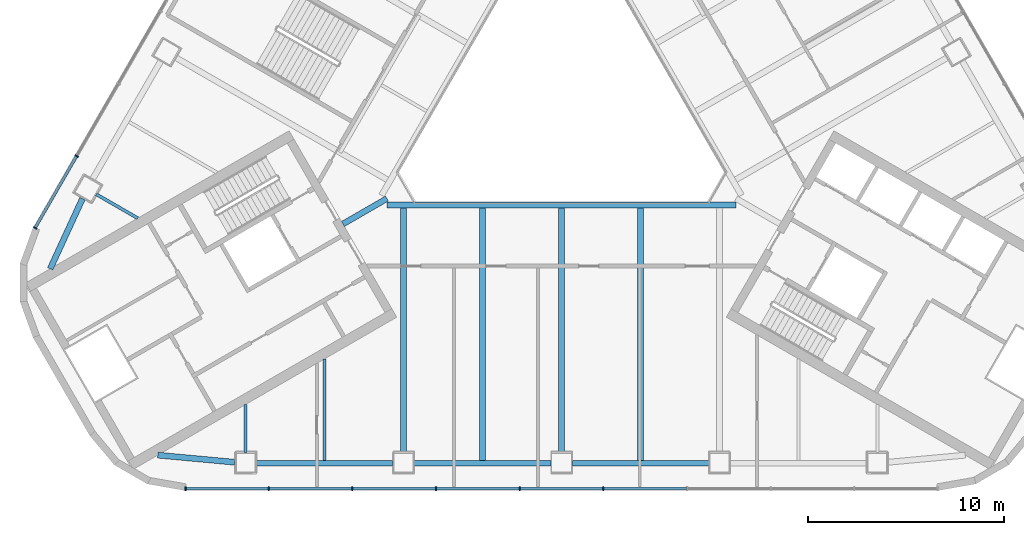
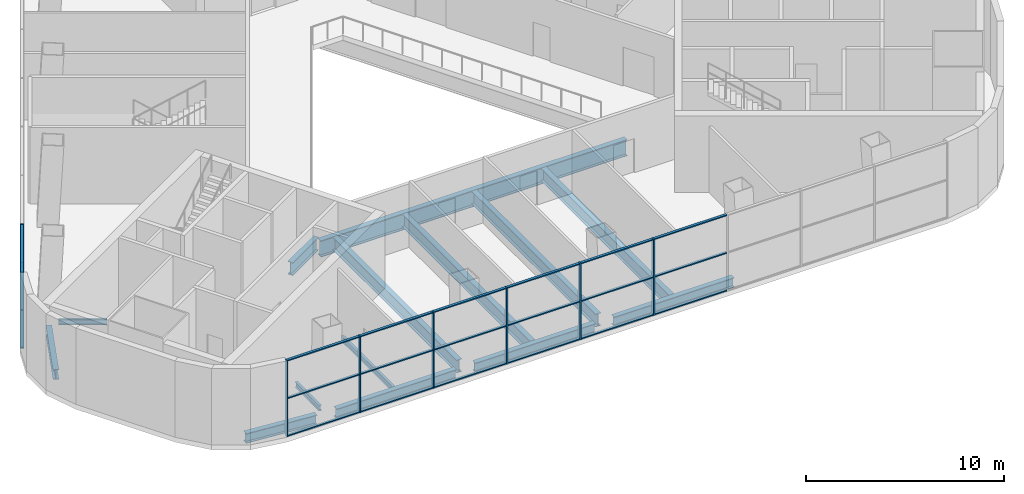
# One storey, part 2 of 13: 29 members, 14 beams, 2 elements without a shape of their own.
"""IFC4 building model written with IfcOpenShell, lengths in metres."""

from ifc_helpers import new_model, si_unit, direction, frame, origin, origin_2d, place, context, subcontext, project, spatial, rectangle, i_section, extrude, material, layer, layer_set, material_profile, profile_set, type_object, element, aggregate, save


model = new_model("IFC4")

# Units and contexts
model_context = context("Model", 3, precision=1e-05, world=origin(), true_north=direction((0.0, 1.0)))
body_context = subcontext(model_context, "Body", "Model", "MODEL_VIEW")
ifc_project = project(units=[si_unit("LENGTHUNIT", "METRE"), si_unit("AREAUNIT", "SQUARE_METRE"), si_unit("VOLUMEUNIT", "CUBIC_METRE"), si_unit("PLANEANGLEUNIT", "RADIAN"), si_unit("MASSUNIT", "GRAM", prefix="KILO")], contexts=[model_context])

# Site, building, storey
site_placement = place(None, origin())
site = spatial("IfcSite", under=ifc_project, at=site_placement, CompositionType="ELEMENT")
building_placement = place(site_placement, origin())
building = spatial("IfcBuilding", under=site, at=building_placement, Name="Apuvela Tower Hotel", CompositionType="ELEMENT")
storey_placement = place(building_placement, frame((0.0, 0.0, 23.5)))
storey = spatial("IfcBuildingStorey", under=building, at=storey_placement, Name="L03", CompositionType="ELEMENT", Elevation=23.5)

# Curtain wall, members
ifc_material_1 = material(Name="Aluminium 6063-T6, dark bronze anodised", Category="aluminium")
ifc_layer = layer(ifc_material_1, 0.199951171875)
ifc_layer_set = layer_set([ifc_layer], Name="ENV-CW-P")
curtain_wall_type = type_object("IfcCurtainWallType", Name="ENV-CW-P", PredefinedType="NOTDEFINED", material=ifc_layer_set)
curtain_wall_1_placement = place(storey_placement, origin())
curtain_wall_1 = element("IfcCurtainWall", 1, at=curtain_wall_1_placement, inside=storey, type_object=curtain_wall_type, Name="Curtain wall CW-P S L03", PredefinedType="NOTDEFINED")
ifc_material_profile_1 = material_profile(ifc_material_1, rectangle(XDim=0.199951171875, YDim=0.06494140625, at=origin_2d()), Name="AL 65x200")
ifc_profile_set_1 = profile_set([ifc_material_profile_1], Name="Aluminium 6063-T6, dark bronze anodised")
member_type_1 = type_object("IfcMemberType", Name="ENV-MULLION-65x200", PredefinedType="MULLION", material=ifc_profile_set_1)
member_1_placement = place(storey_placement, frame((-19.2109375, -19.97607421875, 0.0), z_axis=(0.0, 0.0, 1.0), x_axis=(0.0, 1.0, 0.0)))
member_1 = element("IfcMember", 2, at=member_1_placement, type_object=member_type_1, Name="CW-P mullion 1", PredefinedType="MULLION", context=body_context, shape_type="SweptSolid", body=[
    extrude(rectangle(XDim=0.199951171875, YDim=0.06494140625, at=origin_2d()), origin(), (0.0, 0.0, 1.0), 4.699951171875),
])
member_2_placement = place(storey_placement, frame((-14.967041015625, -19.97607421875, 0.0), z_axis=(0.0, 0.0, 1.0), x_axis=(0.0, 1.0, 0.0)))
member_2 = element("IfcMember", 3, at=member_2_placement, type_object=member_type_1, Name="CW-P mullion 2", PredefinedType="MULLION", context=body_context, shape_type="SweptSolid", body=[
    extrude(rectangle(XDim=0.199951171875, YDim=0.06494140625, at=origin_2d()), origin(), (0.0, 0.0, 1.0), 4.699951171875),
])
member_3_placement = place(storey_placement, frame((-10.690673828125, -19.97607421875, 0.0), z_axis=(0.0, 0.0, 1.0), x_axis=(0.0, 1.0, 0.0)))
member_3 = element("IfcMember", 4, at=member_3_placement, type_object=member_type_1, Name="CW-P mullion 3", PredefinedType="MULLION", context=body_context, shape_type="SweptSolid", body=[
    extrude(rectangle(XDim=0.199951171875, YDim=0.06494140625, at=origin_2d()), origin(), (0.0, 0.0, 1.0), 4.699951171875),
])
member_4_placement = place(storey_placement, frame((-6.41455078125, -19.97607421875, 0.0), z_axis=(0.0, 0.0, 1.0), x_axis=(0.0, 1.0, 0.0)))
member_4 = element("IfcMember", 5, at=member_4_placement, type_object=member_type_1, Name="CW-P mullion 4", PredefinedType="MULLION", context=body_context, shape_type="SweptSolid", body=[
    extrude(rectangle(XDim=0.199951171875, YDim=0.06494140625, at=origin_2d()), origin(), (0.0, 0.0, 1.0), 4.699951171875),
])
member_5_placement = place(storey_placement, frame((-2.13818359375, -19.97607421875, 0.0), z_axis=(0.0, 0.0, 1.0), x_axis=(0.0, 1.0, 0.0)))
member_5 = element("IfcMember", 6, at=member_5_placement, type_object=member_type_1, Name="CW-P mullion 5", PredefinedType="MULLION", context=body_context, shape_type="SweptSolid", body=[
    extrude(rectangle(XDim=0.199951171875, YDim=0.06494140625, at=origin_2d()), origin(), (0.0, 0.0, 1.0), 4.699951171875),
])
member_6_placement = place(storey_placement, frame((2.13818359375, -19.97607421875, 0.0), z_axis=(0.0, 0.0, 1.0), x_axis=(0.0, 1.0, 0.0)))
member_6 = element("IfcMember", 7, at=member_6_placement, type_object=member_type_1, Name="CW-P mullion 6", PredefinedType="MULLION", context=body_context, shape_type="SweptSolid", body=[
    extrude(rectangle(XDim=0.199951171875, YDim=0.06494140625, at=origin_2d()), origin(), (0.0, 0.0, 1.0), 4.699951171875),
])

curtain_wall_2_placement = place(storey_placement, origin())
curtain_wall_2 = element("IfcCurtainWall", 8, at=curtain_wall_2_placement, inside=storey, type_object=curtain_wall_type, Name="Curtain wall CW-P NW L03", PredefinedType="NOTDEFINED")
member_7_placement = place(storey_placement, frame((-24.783203125, -2.973876953125, 0.0), z_axis=(0.0, 0.0, 1.0), x_axis=(0.866025577183, -0.499999699665, 0.0)))
member_7 = element("IfcMember", 9, at=member_7_placement, type_object=member_type_1, Name="CW-P mullion 9", PredefinedType="MULLION", context=body_context, shape_type="SweptSolid", body=[
    extrude(rectangle(XDim=0.199951171875, YDim=0.06494140625, at=origin_2d()), origin(), (0.0, 0.0, 1.0), 4.699951171875),
])
member_8_placement = place(storey_placement, frame((-26.905029296875, -6.649169921875, 0.0), z_axis=(0.0, 0.0, 1.0), x_axis=(0.866025577183, -0.499999699665, 0.0)))
member_8 = element("IfcMember", 10, at=member_8_placement, type_object=member_type_1, Name="CW-P mullion 10", PredefinedType="MULLION", context=body_context, shape_type="SweptSolid", body=[
    extrude(rectangle(XDim=0.199951171875, YDim=0.06494140625, at=origin_2d()), origin(), (0.0, 0.0, 1.0), 4.699951171875),
])

# Member
ifc_material_profile_2 = material_profile(ifc_material_1, rectangle(XDim=0.14990234375, YDim=0.06494140625, at=origin_2d()), Name="AL 65x150 transom")
ifc_profile_set_2 = profile_set([ifc_material_profile_2], Name="Aluminium 6063-T6, dark bronze anodised")
member_type_2 = type_object("IfcMemberType", Name="ENV-TRANSOM-65x150", PredefinedType="USERDEFINED", material=ifc_profile_set_2)
member_9_placement = place(storey_placement, frame((-19.178466796875, -19.97607421875, 0.032470703125), z_axis=(1.0, 0.0, 0.0), x_axis=(0.0, 1.0, 0.0)))
member_9 = element("IfcMember", 11, at=member_9_placement, type_object=member_type_2, Name="CW-P transom 1.1", ObjectType="TRANSOM", PredefinedType="USERDEFINED", context=body_context, shape_type="SweptSolid", body=[
    extrude(rectangle(XDim=0.14990234375, YDim=0.06494140625, at=origin_2d()), origin(), (0.0, 0.0, 1.0), 4.178955078125),
])

member_10_placement = place(storey_placement, frame((-19.178466796875, -19.97607421875, 2.35009765625), z_axis=(1.0, 0.0, 0.0), x_axis=(0.0, 1.0, 0.0)))
member_10 = element("IfcMember", 12, at=member_10_placement, type_object=member_type_2, Name="CW-P transom 1.2", ObjectType="TRANSOM", PredefinedType="USERDEFINED", context=body_context, shape_type="SweptSolid", body=[
    extrude(rectangle(XDim=0.14990234375, YDim=0.06494140625, at=origin_2d()), origin(), (0.0, 0.0, 1.0), 4.178955078125),
])

member_11_placement = place(storey_placement, frame((-19.178466796875, -19.97607421875, 4.66748046875), z_axis=(1.0, 0.0, 0.0), x_axis=(0.0, 1.0, 0.0)))
member_11 = element("IfcMember", 13, at=member_11_placement, type_object=member_type_2, Name="CW-P transom 1.3", ObjectType="TRANSOM", PredefinedType="USERDEFINED", context=body_context, shape_type="SweptSolid", body=[
    extrude(rectangle(XDim=0.14990234375, YDim=0.06494140625, at=origin_2d()), origin(), (0.0, 0.0, 1.0), 4.178955078125),
])

member_12_placement = place(storey_placement, frame((-14.9345703125, -19.97607421875, 0.032470703125), z_axis=(1.0, 0.0, 0.0), x_axis=(0.0, 1.0, 0.0)))
member_12 = element("IfcMember", 14, at=member_12_placement, type_object=member_type_2, Name="CW-P transom 2.1", ObjectType="TRANSOM", PredefinedType="USERDEFINED", context=body_context, shape_type="SweptSolid", body=[
    extrude(rectangle(XDim=0.14990234375, YDim=0.06494140625, at=origin_2d()), origin(), (0.0, 0.0, 1.0), 4.211181640625),
])

member_13_placement = place(storey_placement, frame((-14.9345703125, -19.97607421875, 2.35009765625), z_axis=(1.0, 0.0, 0.0), x_axis=(0.0, 1.0, 0.0)))
member_13 = element("IfcMember", 15, at=member_13_placement, type_object=member_type_2, Name="CW-P transom 2.2", ObjectType="TRANSOM", PredefinedType="USERDEFINED", context=body_context, shape_type="SweptSolid", body=[
    extrude(rectangle(XDim=0.14990234375, YDim=0.06494140625, at=origin_2d()), origin(), (0.0, 0.0, 1.0), 4.211181640625),
])

member_14_placement = place(storey_placement, frame((-14.9345703125, -19.97607421875, 4.66748046875), z_axis=(1.0, 0.0, 0.0), x_axis=(0.0, 1.0, 0.0)))
member_14 = element("IfcMember", 16, at=member_14_placement, type_object=member_type_2, Name="CW-P transom 2.3", ObjectType="TRANSOM", PredefinedType="USERDEFINED", context=body_context, shape_type="SweptSolid", body=[
    extrude(rectangle(XDim=0.14990234375, YDim=0.06494140625, at=origin_2d()), origin(), (0.0, 0.0, 1.0), 4.211181640625),
])

member_15_placement = place(storey_placement, frame((-10.658203125, -19.97607421875, 0.032470703125), z_axis=(1.0, 0.0, 0.0), x_axis=(0.0, 1.0, 0.0)))
member_15 = element("IfcMember", 17, at=member_15_placement, type_object=member_type_2, Name="CW-P transom 3.1", ObjectType="TRANSOM", PredefinedType="USERDEFINED", context=body_context, shape_type="SweptSolid", body=[
    extrude(rectangle(XDim=0.14990234375, YDim=0.06494140625, at=origin_2d()), origin(), (0.0, 0.0, 1.0), 4.211181640625),
])

member_16_placement = place(storey_placement, frame((-10.658203125, -19.97607421875, 2.35009765625), z_axis=(1.0, 0.0, 0.0), x_axis=(0.0, 1.0, 0.0)))
member_16 = element("IfcMember", 18, at=member_16_placement, type_object=member_type_2, Name="CW-P transom 3.2", ObjectType="TRANSOM", PredefinedType="USERDEFINED", context=body_context, shape_type="SweptSolid", body=[
    extrude(rectangle(XDim=0.14990234375, YDim=0.06494140625, at=origin_2d()), origin(), (0.0, 0.0, 1.0), 4.211181640625),
])

member_17_placement = place(storey_placement, frame((-10.658203125, -19.97607421875, 4.66748046875), z_axis=(1.0, 0.0, 0.0), x_axis=(0.0, 1.0, 0.0)))
member_17 = element("IfcMember", 19, at=member_17_placement, type_object=member_type_2, Name="CW-P transom 3.3", ObjectType="TRANSOM", PredefinedType="USERDEFINED", context=body_context, shape_type="SweptSolid", body=[
    extrude(rectangle(XDim=0.14990234375, YDim=0.06494140625, at=origin_2d()), origin(), (0.0, 0.0, 1.0), 4.211181640625),
])

member_18_placement = place(storey_placement, frame((-6.382080078125, -19.97607421875, 0.032470703125), z_axis=(1.0, 0.0, 0.0), x_axis=(0.0, 1.0, 0.0)))
member_18 = element("IfcMember", 20, at=member_18_placement, type_object=member_type_2, Name="CW-P transom 4.1", ObjectType="TRANSOM", PredefinedType="USERDEFINED", context=body_context, shape_type="SweptSolid", body=[
    extrude(rectangle(XDim=0.14990234375, YDim=0.06494140625, at=origin_2d()), origin(), (0.0, 0.0, 1.0), 4.21142578125),
])

member_19_placement = place(storey_placement, frame((-6.382080078125, -19.97607421875, 2.35009765625), z_axis=(1.0, 0.0, 0.0), x_axis=(0.0, 1.0, 0.0)))
member_19 = element("IfcMember", 21, at=member_19_placement, type_object=member_type_2, Name="CW-P transom 4.2", ObjectType="TRANSOM", PredefinedType="USERDEFINED", context=body_context, shape_type="SweptSolid", body=[
    extrude(rectangle(XDim=0.14990234375, YDim=0.06494140625, at=origin_2d()), origin(), (0.0, 0.0, 1.0), 4.21142578125),
])

member_20_placement = place(storey_placement, frame((-6.382080078125, -19.97607421875, 4.66748046875), z_axis=(1.0, 0.0, 0.0), x_axis=(0.0, 1.0, 0.0)))
member_20 = element("IfcMember", 22, at=member_20_placement, type_object=member_type_2, Name="CW-P transom 4.3", ObjectType="TRANSOM", PredefinedType="USERDEFINED", context=body_context, shape_type="SweptSolid", body=[
    extrude(rectangle(XDim=0.14990234375, YDim=0.06494140625, at=origin_2d()), origin(), (0.0, 0.0, 1.0), 4.21142578125),
])

member_21_placement = place(storey_placement, frame((-2.105712890625, -19.97607421875, 0.032470703125), z_axis=(1.0, 0.0, 0.0), x_axis=(0.0, 1.0, 0.0)))
member_21 = element("IfcMember", 23, at=member_21_placement, type_object=member_type_2, Name="CW-P transom 5.1", ObjectType="TRANSOM", PredefinedType="USERDEFINED", context=body_context, shape_type="SweptSolid", body=[
    extrude(rectangle(XDim=0.14990234375, YDim=0.06494140625, at=origin_2d()), origin(), (0.0, 0.0, 1.0), 4.21142578125),
])

member_22_placement = place(storey_placement, frame((-2.105712890625, -19.97607421875, 2.35009765625), z_axis=(1.0, 0.0, 0.0), x_axis=(0.0, 1.0, 0.0)))
member_22 = element("IfcMember", 24, at=member_22_placement, type_object=member_type_2, Name="CW-P transom 5.2", ObjectType="TRANSOM", PredefinedType="USERDEFINED", context=body_context, shape_type="SweptSolid", body=[
    extrude(rectangle(XDim=0.14990234375, YDim=0.06494140625, at=origin_2d()), origin(), (0.0, 0.0, 1.0), 4.21142578125),
])

member_23_placement = place(storey_placement, frame((-2.105712890625, -19.97607421875, 4.66748046875), z_axis=(1.0, 0.0, 0.0), x_axis=(0.0, 1.0, 0.0)))
member_23 = element("IfcMember", 25, at=member_23_placement, type_object=member_type_2, Name="CW-P transom 5.3", ObjectType="TRANSOM", PredefinedType="USERDEFINED", context=body_context, shape_type="SweptSolid", body=[
    extrude(rectangle(XDim=0.14990234375, YDim=0.06494140625, at=origin_2d()), origin(), (0.0, 0.0, 1.0), 4.21142578125),
])

member_24_placement = place(storey_placement, frame((2.170654296875, -19.97607421875, 0.032470703125), z_axis=(1.0, 0.0, 0.0), x_axis=(0.0, 1.0, 0.0)))
member_24 = element("IfcMember", 26, at=member_24_placement, type_object=member_type_2, Name="CW-P transom 6.1", ObjectType="TRANSOM", PredefinedType="USERDEFINED", context=body_context, shape_type="SweptSolid", body=[
    extrude(rectangle(XDim=0.14990234375, YDim=0.06494140625, at=origin_2d()), origin(), (0.0, 0.0, 1.0), 4.21142578125),
])

member_25_placement = place(storey_placement, frame((2.170654296875, -19.97607421875, 2.35009765625), z_axis=(1.0, 0.0, 0.0), x_axis=(0.0, 1.0, 0.0)))
member_25 = element("IfcMember", 27, at=member_25_placement, type_object=member_type_2, Name="CW-P transom 6.2", ObjectType="TRANSOM", PredefinedType="USERDEFINED", context=body_context, shape_type="SweptSolid", body=[
    extrude(rectangle(XDim=0.14990234375, YDim=0.06494140625, at=origin_2d()), origin(), (0.0, 0.0, 1.0), 4.21142578125),
])

member_26_placement = place(storey_placement, frame((2.170654296875, -19.97607421875, 4.66748046875), z_axis=(1.0, 0.0, 0.0), x_axis=(0.0, 1.0, 0.0)))
member_26 = element("IfcMember", 28, at=member_26_placement, type_object=member_type_2, Name="CW-P transom 6.3", ObjectType="TRANSOM", PredefinedType="USERDEFINED", context=body_context, shape_type="SweptSolid", body=[
    extrude(rectangle(XDim=0.14990234375, YDim=0.06494140625, at=origin_2d()), origin(), (0.0, 0.0, 1.0), 4.21142578125),
])

aggregate(curtain_wall_1, [member_1, member_2, member_3, member_4, member_5, member_6, member_9, member_10, member_11, member_12, member_13, member_14, member_15, member_16, member_17, member_18, member_19, member_20, member_21, member_22, member_23, member_24, member_25, member_26])

member_27_placement = place(storey_placement, frame((-24.799560546875, -3.001953125, 0.032470703125), z_axis=(-0.499997237676, -0.866026998607, 0.0), x_axis=(0.866026998607, -0.499997237676, 0.0)))
member_27 = element("IfcMember", 29, at=member_27_placement, type_object=member_type_2, Name="CW-P transom 9.1", ObjectType="TRANSOM", PredefinedType="USERDEFINED", context=body_context, shape_type="SweptSolid", body=[
    extrude(rectangle(XDim=0.14990234375, YDim=0.06494140625, at=origin_2d()), origin(), (0.0, 0.0, 1.0), 4.1787109375),
])

member_28_placement = place(storey_placement, frame((-24.799560546875, -3.001953125, 2.35009765625), z_axis=(-0.499997237676, -0.866026998607, 0.0), x_axis=(0.866026998607, -0.499997237676, 0.0)))
member_28 = element("IfcMember", 30, at=member_28_placement, type_object=member_type_2, Name="CW-P transom 9.2", ObjectType="TRANSOM", PredefinedType="USERDEFINED", context=body_context, shape_type="SweptSolid", body=[
    extrude(rectangle(XDim=0.14990234375, YDim=0.06494140625, at=origin_2d()), origin(), (0.0, 0.0, 1.0), 4.1787109375),
])

member_29_placement = place(storey_placement, frame((-24.799560546875, -3.001953125, 4.66748046875), z_axis=(-0.499997237676, -0.866026998607, 0.0), x_axis=(0.866026998607, -0.499997237676, 0.0)))
member_29 = element("IfcMember", 31, at=member_29_placement, type_object=member_type_2, Name="CW-P transom 9.3", ObjectType="TRANSOM", PredefinedType="USERDEFINED", context=body_context, shape_type="SweptSolid", body=[
    extrude(rectangle(XDim=0.14990234375, YDim=0.06494140625, at=origin_2d()), origin(), (0.0, 0.0, 1.0), 4.1787109375),
])

aggregate(curtain_wall_2, [member_7, member_8, member_27, member_28, member_29])

# Beams
ifc_material_2 = material(Name="Steel S355", Category="steel")
ifc_material_profile_3 = material_profile(ifc_material_2, i_section(OverallWidth=0.300048828125, OverallDepth=0.7900390625, WebThickness=0.014892578125, FlangeThickness=0.028076171875, at=origin_2d()), Name="HE 800 A")
ifc_profile_set_3 = profile_set([ifc_material_profile_3], Name="Steel S355")
beam_type_1 = type_object("IfcBeamType", Name="STR-B floor beam HE 800 A", PredefinedType="BEAM", material=ifc_profile_set_3)
beam_1_placement = place(storey_placement, frame((-8.07958984375, -18.1259765625, -0.695068359375), z_axis=(0.0, 1.0, 0.0), x_axis=(-1.0, 0.0, 0.0)))
element("IfcBeam", 32, at=beam_1_placement, inside=storey, type_object=beam_type_1, Name="Floor beam B5 S3", PredefinedType="BEAM", context=body_context, shape_type="SweptSolid", body=[
    extrude(i_section(OverallWidth=0.300048828125, OverallDepth=0.7900390625, WebThickness=0.014892578125, FlangeThickness=0.028076171875, at=origin_2d()), origin(), (0.0, 0.0, 1.0), 12.50390625),
])
beam_2_placement = place(storey_placement, frame((-4.039794921875, -18.52587890625, -0.695068359375), z_axis=(0.0, 1.0, 0.0), x_axis=(-1.0, 0.0, 0.0)))
element("IfcBeam", 33, at=beam_2_placement, inside=storey, type_object=beam_type_1, Name="Floor beam B5 S4", PredefinedType="BEAM", context=body_context, shape_type="SweptSolid", body=[
    extrude(i_section(OverallWidth=0.300048828125, OverallDepth=0.7900390625, WebThickness=0.014892578125, FlangeThickness=0.028076171875, at=origin_2d()), origin(), (0.0, 0.0, 1.0), 12.90380859375),
])
beam_3_placement = place(storey_placement, frame((0.0, -18.1259765625, -0.695068359375), z_axis=(0.0, 1.0, 0.0), x_axis=(-1.0, 0.0, 0.0)))
element("IfcBeam", 34, at=beam_3_placement, inside=storey, type_object=beam_type_1, Name="Floor beam B5 S5", PredefinedType="BEAM", context=body_context, shape_type="SweptSolid", body=[
    extrude(i_section(OverallWidth=0.300048828125, OverallDepth=0.7900390625, WebThickness=0.014892578125, FlangeThickness=0.028076171875, at=origin_2d()), origin(), (0.0, 0.0, 1.0), 12.50390625),
])
beam_4_placement = place(storey_placement, frame((4.039794921875, -18.52587890625, -0.695068359375), z_axis=(0.0, 1.0, 0.0), x_axis=(-1.0, 0.0, 0.0)))
element("IfcBeam", 35, at=beam_4_placement, inside=storey, type_object=beam_type_1, Name="Floor beam B5 S6", PredefinedType="BEAM", context=body_context, shape_type="SweptSolid", body=[
    extrude(i_section(OverallWidth=0.300048828125, OverallDepth=0.7900390625, WebThickness=0.014892578125, FlangeThickness=0.028076171875, at=origin_2d()), origin(), (0.0, 0.0, 1.0), 12.90380859375),
])
ifc_material_profile_4 = material_profile(ifc_material_2, i_section(OverallWidth=0.159912109375, OverallDepth=0.330078125, WebThickness=0.007568359375, FlangeThickness=0.011474609375, at=origin_2d()), Name="IPE 330")
ifc_profile_set_4 = profile_set([ifc_material_profile_4], Name="Steel S355")
beam_type_2 = type_object("IfcBeamType", Name="STR-B floor beam IPE 330", PredefinedType="BEAM", material=ifc_profile_set_4)
for number, where, z_axis, x_axis, name in (
    (36, (-23.777099609375, -4.93115234375, -0.465087890625), (0.866029334251, -0.49999319217, 0.0), (0.49999319217, 0.866029334251, 0.0), "Floor beam B1 NW9"),
    (37, (-16.158935546875, -18.1259765625, -0.465087890625), (0.0, 1.0, 0.0), (-1.0, 0.0, 0.0), "Floor beam B1 S1"),
):
    element("IfcBeam", number, at=place(storey_placement, frame(where, z_axis=z_axis, x_axis=x_axis)), inside=storey, type_object=beam_type_2, Name=name, PredefinedType="BEAM", context=body_context, shape_type="SweptSolid", body=[
        extrude(i_section(OverallWidth=0.159912109375, OverallDepth=0.330078125, WebThickness=0.007568359375, FlangeThickness=0.011474609375, at=origin_2d()), origin(), (0.0, 0.0, 1.0), 2.44580078125),
    ])
beam_5_placement = place(storey_placement, frame((-12.119140625, -18.52587890625, -0.465087890625), z_axis=(0.0, 1.0, 0.0), x_axis=(-1.0, 0.0, 0.0)))
element("IfcBeam", 38, at=beam_5_placement, inside=storey, type_object=beam_type_2, Name="Floor beam B1 S2", PredefinedType="BEAM", context=body_context, shape_type="SweptSolid", body=[
    extrude(i_section(OverallWidth=0.159912109375, OverallDepth=0.330078125, WebThickness=0.007568359375, FlangeThickness=0.011474609375, at=origin_2d()), origin(), (0.0, 0.0, 1.0), 5.177978515625),
])
ifc_material_profile_5 = material_profile(ifc_material_2, i_section(OverallWidth=0.302001953125, OverallDepth=1.008056640625, WebThickness=0.02099609375, FlangeThickness=0.0400390625, at=origin_2d()), Name="HE 1000 M")
ifc_profile_set_5 = profile_set([ifc_material_profile_5], Name="Steel S355")
beam_type_3 = type_object("IfcBeamType", Name="STR-G atrium ring girder HE 1000 M", PredefinedType="BEAM", material=ifc_profile_set_5)
beam_6_placement = place(storey_placement, frame((-8.91455078125, -5.470947265625, -0.803955078125), z_axis=(1.0, 0.0, 0.0), x_axis=(0.0, 1.0, 0.0)))
element("IfcBeam", 39, at=beam_6_placement, inside=storey, type_object=beam_type_3, Name="Atrium ring girder G1 SW-SE", PredefinedType="BEAM", context=body_context, shape_type="SweptSolid", body=[
    extrude(i_section(OverallWidth=0.302001953125, OverallDepth=1.008056640625, WebThickness=0.02099609375, FlangeThickness=0.0400390625, at=origin_2d()), origin(), (0.0, 0.0, 1.0), 17.8291015625),
])
ifc_material_profile_6 = material_profile(ifc_material_2, i_section(OverallWidth=0.300048828125, OverallDepth=0.800048828125, WebThickness=0.017578125, FlangeThickness=0.032958984375, at=origin_2d()), Name="HE 800 B")
ifc_profile_set_6 = profile_set([ifc_material_profile_6], Name="Steel S355")
beam_type_4 = type_object("IfcBeamType", Name="STR-GT core tie beam HE 800 B", PredefinedType="BEAM", material=ifc_profile_set_6)
beam_7_placement = place(storey_placement, frame((-11.171630859375, -6.449951171875, -0.699951171875), z_axis=(0.865997922154, 0.500047596559, 0.0), x_axis=(-0.500047596559, 0.865997922154, 0.0)))
element("IfcBeam", 40, at=beam_7_placement, inside=storey, type_object=beam_type_4, Name="Core tie beam GT1 SW", PredefinedType="BEAM", context=body_context, shape_type="SweptSolid", body=[
    extrude(i_section(OverallWidth=0.300048828125, OverallDepth=0.800048828125, WebThickness=0.017578125, FlangeThickness=0.032958984375, at=origin_2d()), origin(), (0.0, 0.0, 1.0), 2.599853515625),
])
ifc_material_profile_7 = material_profile(ifc_material_2, i_section(OverallWidth=0.300048828125, OverallDepth=0.60009765625, WebThickness=0.015380859375, FlangeThickness=0.030029296875, at=origin_2d()), Name="HE 600 B")
ifc_profile_set_7 = profile_set([ifc_material_profile_7], Name="Steel S355")
beam_type_5 = type_object("IfcBeamType", Name="STR-SB spandrel beam HE 600 B", PredefinedType="SPANDREL", material=ifc_profile_set_7)
for number, where, z_axis, x_axis, name in (
    (41, (-15.60888671875, -18.676025390625, -0.60009765625), (1.0, 0.0, 0.0), (0.0, 1.0, 0.0), "Spandrel beam SB1 S1"),
    (42, (-7.529541015625, -18.676025390625, -0.60009765625), (1.0, 0.0, 0.0), (0.0, 1.0, 0.0), "Spandrel beam SB1 S2"),
    (43, (0.550048828125, -18.676025390625, -0.60009765625), (1.0, 0.0, 0.0), (0.0, 1.0, 0.0), "Spandrel beam SB1 S3"),
):
    element("IfcBeam", number, at=place(storey_placement, frame(where, z_axis=z_axis, x_axis=x_axis)), inside=storey, type_object=beam_type_5, Name=name, PredefinedType="SPANDREL", context=body_context, shape_type="SweptSolid", body=[
        extrude(i_section(OverallWidth=0.300048828125, OverallDepth=0.60009765625, WebThickness=0.015380859375, FlangeThickness=0.030029296875, at=origin_2d()), origin(), (0.0, 0.0, 1.0), 6.9794921875),
    ])
for number, where, z_axis, x_axis, name in (
    (44, (-16.708984375, -18.625244140625, -0.60009765625), (-0.995769906382, 0.091881954403, 0.0), (-0.091881954403, -0.995769906382, 0.0), "Spandrel beam SB1 S1-SW"),
    (45, (-24.484375, -5.15771484375, -0.60009765625), (-0.418335109719, -0.908292758958, 0.0), (0.908292758958, -0.418335109719, 0.0), "Spandrel beam SB1 NW5-SW"),
):
    element("IfcBeam", number, at=place(storey_placement, frame(where, z_axis=z_axis, x_axis=x_axis)), inside=storey, type_object=beam_type_5, Name=name, PredefinedType="SPANDREL", context=body_context, shape_type="SweptSolid", body=[
        extrude(i_section(OverallWidth=0.300048828125, OverallDepth=0.60009765625, WebThickness=0.015380859375, FlangeThickness=0.030029296875, at=origin_2d()), origin(), (0.0, 0.0, 1.0), 3.9404296875),
    ])

save(model, "model.ifc")
